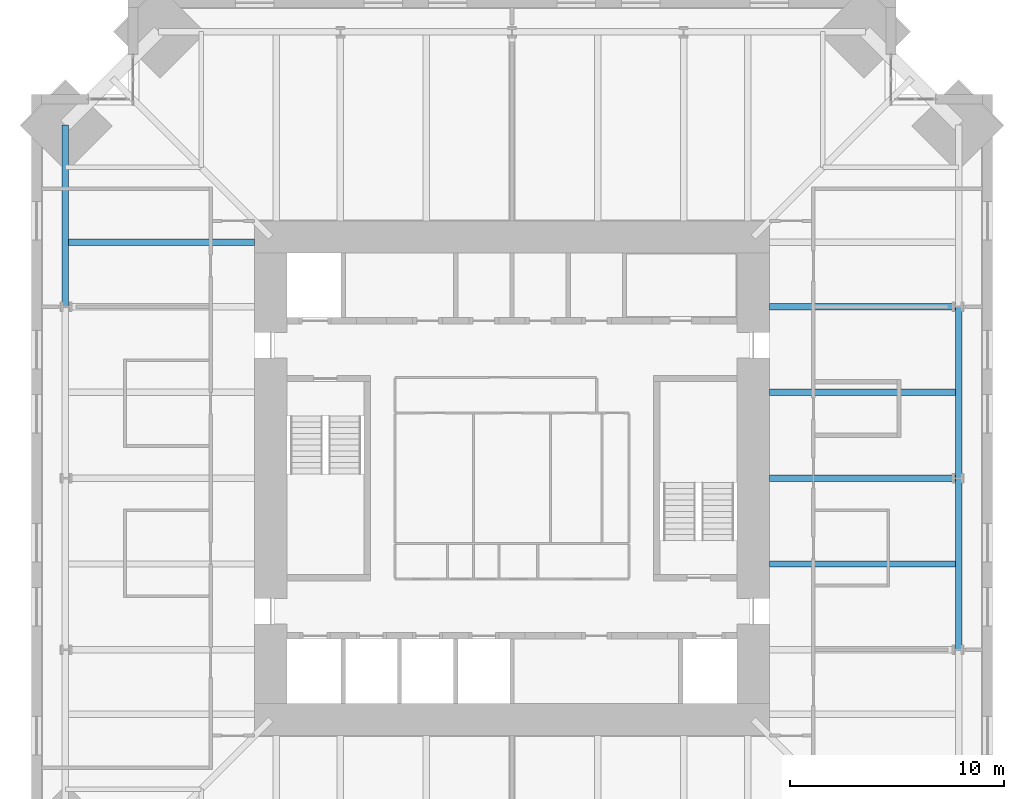
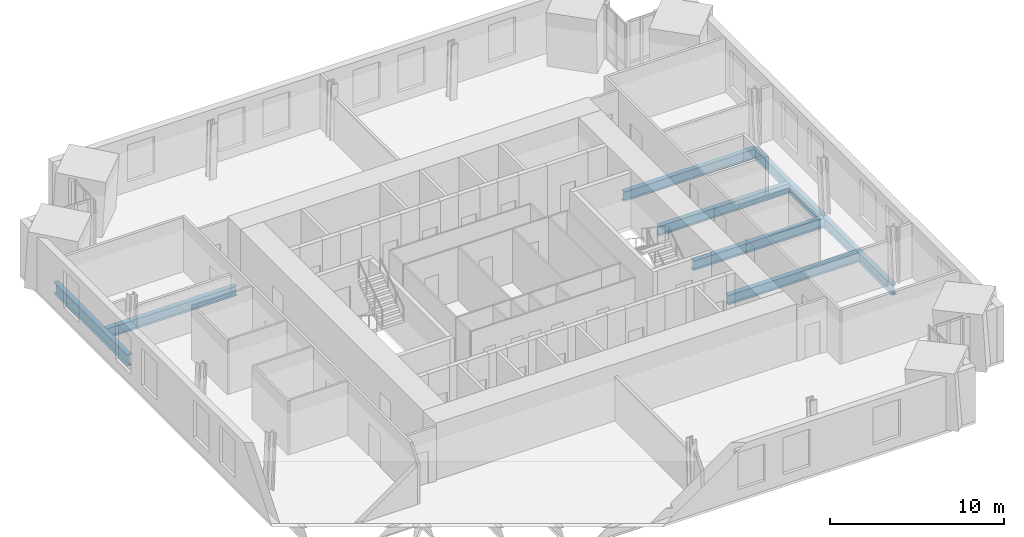
# One storey, part 5 of 18: 8 beams.
"""IFC4 building model written with IfcOpenShell, lengths in metres."""

from ifc_helpers import new_model, si_unit, direction, frame, origin, origin_2d, place, context, subcontext, project, spatial, i_section, extrude, material, material_profile, profile_set, type_object, element, save


model = new_model("IFC4")

# Units and contexts
model_context = context("Model", 3, precision=1e-05, world=origin(), true_north=direction((0.0, 1.0)))
body_context = subcontext(model_context, "Body", "Model", "MODEL_VIEW")
ifc_project = project(units=[si_unit("LENGTHUNIT", "METRE"), si_unit("AREAUNIT", "SQUARE_METRE"), si_unit("VOLUMEUNIT", "CUBIC_METRE"), si_unit("PLANEANGLEUNIT", "RADIAN"), si_unit("MASSUNIT", "GRAM", prefix="KILO")], contexts=[model_context])

# Site, building, storey
site_placement = place(None, origin())
site = spatial("IfcSite", under=ifc_project, at=site_placement, CompositionType="ELEMENT")
building_placement = place(site_placement, origin())
building = spatial("IfcBuilding", under=site, at=building_placement, Name="Peilmerk Tower", CompositionType="ELEMENT")
storey_placement = place(building_placement, frame((0.0, 0.0, 249.800048828125)))
storey = spatial("IfcBuildingStorey", under=building, at=storey_placement, Name="L55", CompositionType="ELEMENT", Elevation=249.800048828125)

# Beams
ifc_material = material(Name="Steel S355", Category="steel")
ifc_material_profile_1 = material_profile(ifc_material, i_section(OverallWidth=0.302978515625, OverallDepth=0.81396484375, WebThickness=0.02099609375, FlangeThickness=0.0400390625, at=origin_2d()), Name="HEM 800")
ifc_profile_set_1 = profile_set([ifc_material_profile_1], Name="Steel S355")
beam_type_1 = type_object("IfcBeamType", Name="B15 HEM 800 edge beam", PredefinedType="SPANDREL", material=ifc_profile_set_1)
beam_placement = place(storey_placement, frame((-20.82421875, 16.47412109375, -0.5771484375), z_axis=(0.0, -1.0, 0.0), x_axis=(1.0, 0.0, 0.0)))
element("IfcBeam", 1, at=beam_placement, inside=storey, type_object=beam_type_1, Name="Edge beam L55", PredefinedType="SPANDREL", context=body_context, shape_type="SweptSolid", body=[
    extrude(i_section(OverallWidth=0.302978515625, OverallDepth=0.81396484375, WebThickness=0.02099609375, FlangeThickness=0.0400390625, at=origin_2d()), origin(), (0.0, 0.0, 1.0), 8.47412109375),
])
ifc_material_profile_2 = material_profile(ifc_material, i_section(OverallWidth=0.300048828125, OverallDepth=0.68994140625, WebThickness=0.014404296875, FlangeThickness=0.027099609375, at=origin_2d()), Name="HEA 700")
ifc_profile_set_2 = profile_set([ifc_material_profile_2], Name="Steel S355")
beam_type_2 = type_object("IfcBeamType", Name="B16 HEA 700 floor beam", PredefinedType="BEAM", material=ifc_profile_set_2)
for number, where, z_axis, x_axis, name in (
    (2, (12.0, -4.0, -0.51513671875), (1.0, 0.0, 0.0), (0.0, 1.0, 0.0), "Floor beam L55"),
    (3, (12.0, 0.0, -0.51513671875), (1.0, 0.0, 0.0), (0.0, 1.0, 0.0), "Floor beam L55"),
    (4, (12.0, 4.0, -0.51513671875), (1.0, 0.0, 0.0), (0.0, 1.0, 0.0), "Floor beam L55"),
    (5, (12.0, 8.0, -0.51513671875), (1.0, 0.0, 0.0), (0.0, 1.0, 0.0), "Floor beam L55"),
    (6, (-12.0, 11.0, -0.51513671875), (-1.0, 0.0, 0.0), (0.0, -1.0, 0.0), "Floor beam L55"),
):
    element("IfcBeam", number, at=place(storey_placement, frame(where, z_axis=z_axis, x_axis=x_axis)), inside=storey, type_object=beam_type_2, Name=name, PredefinedType="BEAM", context=body_context, shape_type="SweptSolid", body=[
        extrude(i_section(OverallWidth=0.300048828125, OverallDepth=0.68994140625, WebThickness=0.014404296875, FlangeThickness=0.027099609375, at=origin_2d()), origin(), (0.0, 0.0, 1.0), 8.82421875),
    ])
ifc_material_profile_3 = material_profile(ifc_material, i_section(OverallWidth=0.303955078125, OverallDepth=0.716064453125, WebThickness=0.02099609375, FlangeThickness=0.0400390625, at=origin_2d()), Name="HEM 700")
ifc_profile_set_3 = profile_set([ifc_material_profile_3], Name="Steel S355")
beam_type_3 = type_object("IfcBeamType", Name="B30 HEM 700 edge beam", PredefinedType="SPANDREL", material=ifc_profile_set_3)
for number, where, z_axis, x_axis, name in (
    (7, (20.82421875, -8.0, -0.528076171875), (0.0, 1.0, 0.0), (-1.0, 0.0, 0.0), "Edge beam L55"),
    (8, (20.82421875, 0.0, -0.528076171875), (0.0, 1.0, 0.0), (-1.0, 0.0, 0.0), "Edge beam L55"),
):
    element("IfcBeam", number, at=place(storey_placement, frame(where, z_axis=z_axis, x_axis=x_axis)), inside=storey, type_object=beam_type_3, Name=name, PredefinedType="SPANDREL", context=body_context, shape_type="SweptSolid", body=[
        extrude(i_section(OverallWidth=0.303955078125, OverallDepth=0.716064453125, WebThickness=0.02099609375, FlangeThickness=0.0400390625, at=origin_2d()), origin(), (0.0, 0.0, 1.0), 8.0),
    ])

save(model, "model.ifc")
